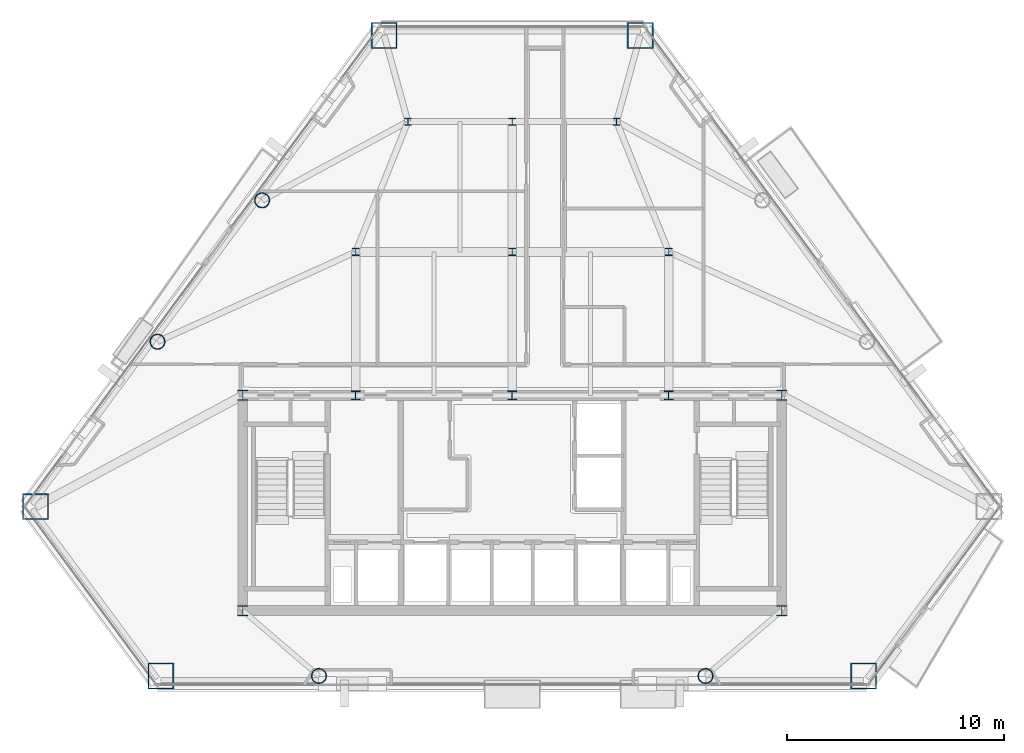
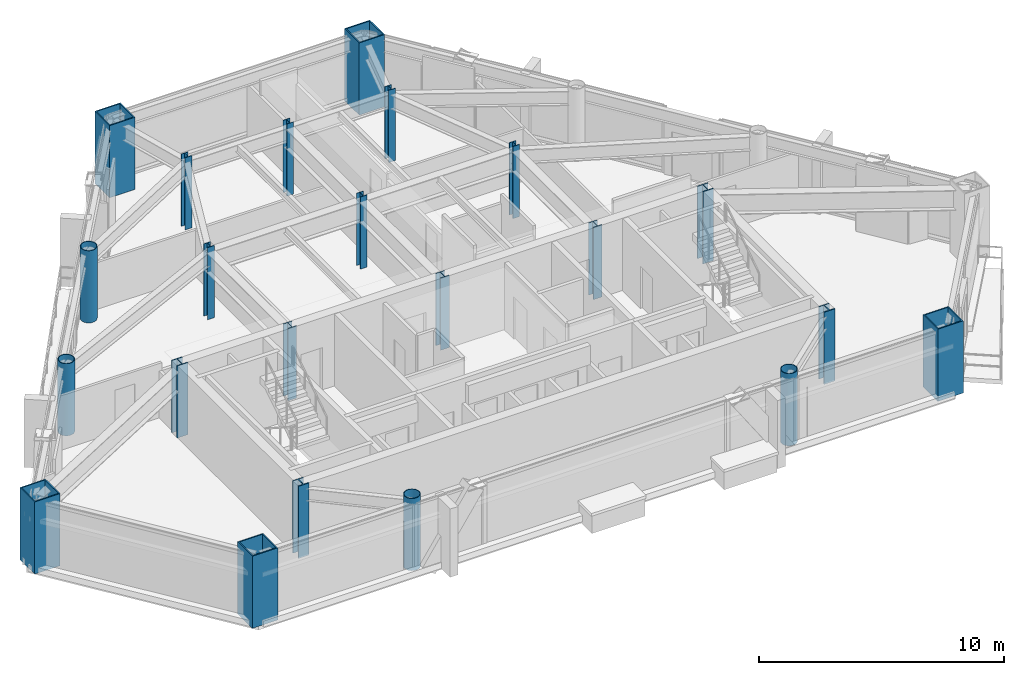
# One storey, part 1 of 11: 22 columns.
"""IFC4 building model written with IfcOpenShell, lengths in metres."""

from ifc_helpers import new_model, si_unit, direction, frame, origin, origin_2d, place, context, subcontext, project, spatial, hollow_rectangle, hollow_circle, i_section, extrude, material, material_profile, profile_set, type_object, element, save


model = new_model("IFC4")

# Units and contexts
model_context = context("Model", 3, precision=1e-05, world=origin(), true_north=direction((0.0, 1.0)))
body_context = subcontext(model_context, "Body", "Model", "MODEL_VIEW")
ifc_project = project(units=[si_unit("LENGTHUNIT", "METRE"), si_unit("AREAUNIT", "SQUARE_METRE"), si_unit("VOLUMEUNIT", "CUBIC_METRE"), si_unit("PLANEANGLEUNIT", "RADIAN"), si_unit("MASSUNIT", "GRAM", prefix="KILO")], contexts=[model_context])

# Site, building, storey
site_placement = place(None, origin())
site = spatial("IfcSite", under=ifc_project, at=site_placement, CompositionType="ELEMENT")
building_placement = place(site_placement, origin())
building = spatial("IfcBuilding", under=site, at=building_placement, Name="Talgorran Terracotta Tower", CompositionType="ELEMENT")
storey_placement = place(building_placement, frame((0.0, 0.0, 103.199951171875)))
storey = spatial("IfcBuildingStorey", under=building, at=storey_placement, Name="L26", CompositionType="ELEMENT", Elevation=103.199951171875)

# Columns
ifc_material_1 = material(Name="Steel S355 (300PLUS)", Category="steel")
ifc_material_profile_1 = material_profile(ifc_material_1, i_section(OverallWidth=0.311279296875, OverallDepth=0.3271484375, WebThickness=0.015625, FlangeThickness=0.02490234375, at=origin_2d()), Name="310UC158")
ifc_profile_set_1 = profile_set([ifc_material_profile_1], Name="Steel S355 (300PLUS)")
column_type_1 = type_object("IfcColumnType", Name="COL_310UC158", PredefinedType="COLUMN", material=ifc_profile_set_1)
for number, where, z_axis, x_axis, name in (
    (1, (-7.199951171875, 2.39990234375, 0.0), (0.0, 0.0, 1.0), (1.0, 0.0, 0.0), "L26 Interior Gravity Column IC1"),
    (2, (0.0, 2.39990234375, 0.0), (0.0, 0.0, 1.0), (1.0, 0.0, 0.0), "L26 Interior Gravity Column IC2"),
    (3, (7.199951171875, 2.39990234375, 0.0), (0.0, 0.0, 1.0), (1.0, 0.0, 0.0), "L26 Interior Gravity Column IC3"),
    (4, (-4.800048828125, 8.39990234375, 0.0), (0.0, 0.0, 1.0), (1.0, 0.0, 0.0), "L26 Interior Gravity Column IC4"),
    (5, (0.0, 8.39990234375, 0.0), (0.0, 0.0, 1.0), (1.0, 0.0, 0.0), "L26 Interior Gravity Column IC5"),
    (6, (4.800048828125, 8.39990234375, 0.0), (0.0, 0.0, 1.0), (1.0, 0.0, 0.0), "L26 Interior Gravity Column IC6"),
):
    element("IfcColumn", number, at=place(storey_placement, frame(where, z_axis=z_axis, x_axis=x_axis)), inside=storey, type_object=column_type_1, Name=name, PredefinedType="COLUMN", context=body_context, shape_type="SweptSolid", body=[
        extrude(i_section(OverallWidth=0.311279296875, OverallDepth=0.3271484375, WebThickness=0.015625, FlangeThickness=0.02490234375, at=origin_2d()), origin(), (0.0, 0.0, 1.0), 3.60009765625),
    ])
ifc_material_profile_2 = material_profile(ifc_material_1, i_section(OverallWidth=0.5, OverallDepth=0.48193359375, WebThickness=0.0400390625, FlangeThickness=0.044921875, at=origin_2d()), Name="500WC440")
ifc_profile_set_2 = profile_set([ifc_material_profile_2], Name="Steel S355 (300PLUS)")
column_type_2 = type_object("IfcColumnType", Name="COL_500WC440", PredefinedType="COLUMN", material=ifc_profile_set_2)
for number, where, z_axis, x_axis, name in (
    (7, (-12.39990234375, -14.10009765625, 0.0), (0.0, 0.0, 1.0), (1.0, 0.0, 0.0), "L26 Core Boundary Column CC1"),
    (8, (12.39990234375, -14.10009765625, 0.0), (0.0, 0.0, 1.0), (1.0, 0.0, 0.0), "L26 Core Boundary Column CC2"),
    (9, (12.39990234375, -4.199951171875, 0.0), (0.0, 0.0, 1.0), (1.0, 0.0, 0.0), "L26 Core Boundary Column CC3"),
    (10, (-12.39990234375, -4.199951171875, 0.0), (0.0, 0.0, 1.0), (1.0, 0.0, 0.0), "L26 Core Boundary Column CC4"),
):
    element("IfcColumn", number, at=place(storey_placement, frame(where, z_axis=z_axis, x_axis=x_axis)), inside=storey, type_object=column_type_2, Name=name, PredefinedType="COLUMN", context=body_context, shape_type="SweptSolid", body=[
        extrude(i_section(OverallWidth=0.5, OverallDepth=0.48193359375, WebThickness=0.0400390625, FlangeThickness=0.044921875, at=origin_2d()), origin(), (0.0, 0.0, 1.0), 3.60009765625),
    ])
ifc_material_2 = material(Name="Steel Grade 350 (350L0)", Category="steel")
ifc_material_profile_3 = material_profile(ifc_material_2, hollow_rectangle(XDim=1.199951171875, YDim=1.199951171875, WallThickness=0.054931640625, at=origin_2d()), Name="CFT1200X1200X55")
ifc_profile_set_3 = profile_set([ifc_material_profile_3], Name="Steel Grade 350 (350L0)")
column_type_3 = type_object("IfcColumnType", Name="COL_CFT_1200", PredefinedType="COLUMN", material=ifc_profile_set_3)
for number, where, z_axis, x_axis, name in (
    (11, (-21.934326171875, -9.315673828125, 0.0), (0.0, 0.0, 1.0), (1.0, 0.0, 0.0), "L26 Corner CFT Mega-Column MC1"),
    (12, (-16.1669921875, -17.10791015625, 0.0), (0.0, 0.0, 1.0), (1.0, 0.0, 0.0), "L26 Corner CFT Mega-Column MC2"),
    (13, (16.1669921875, -17.10791015625, 0.0), (0.0, 0.0, 1.0), (1.0, 0.0, 0.0), "L26 Corner CFT Mega-Column MC3"),
    (14, (5.889892578125, 12.3623046875, 0.0), (0.0, 0.0, 1.0), (1.0, 0.0, 0.0), "L26 Corner CFT Mega-Column MC5"),
    (15, (-5.889892578125, 12.3623046875, 0.0), (0.0, 0.0, 1.0), (1.0, 0.0, 0.0), "L26 Corner CFT Mega-Column MC6"),
):
    element("IfcColumn", number, at=place(storey_placement, frame(where, z_axis=z_axis, x_axis=x_axis)), inside=storey, type_object=column_type_3, Name=name, PredefinedType="COLUMN", context=body_context, shape_type="SweptSolid", body=[
        extrude(hollow_rectangle(XDim=1.199951171875, YDim=1.199951171875, WallThickness=0.054931640625, at=origin_2d()), origin(), (0.0, 0.0, 1.0), 3.60009765625),
    ])
ifc_material_profile_4 = material_profile(ifc_material_2, hollow_circle(Radius=0.35009765625, WallThickness=0.030029296875, at=origin_2d()), Name="CHS700X30")
ifc_profile_set_4 = profile_set([ifc_material_profile_4], Name="Steel Grade 350 (350L0)")
column_type_4 = type_object("IfcColumnType", Name="COL_CHS_700", PredefinedType="COLUMN", material=ifc_profile_set_4)
for number, where, z_axis, x_axis, name in (
    (16, (-8.891845703125, -17.10791015625, 0.0), (0.0, 0.0, 1.0), (1.0, 0.0, 0.0), "L26 Facet Perimeter Column FC1"),
    (17, (8.891845703125, -17.10791015625, 0.0), (0.0, 0.0, 1.0), (1.0, 0.0, 0.0), "L26 Facet Perimeter Column FC2"),
    (18, (-11.505615234375, 4.77490234375, 0.0), (0.0, 0.0, 1.0), (1.0, 0.0, 0.0), "L26 Facet Perimeter Column FC5"),
    (19, (-16.31884765625, -1.728515625, 0.0), (0.0, 0.0, 1.0), (1.0, 0.0, 0.0), "L26 Facet Perimeter Column FC6"),
):
    element("IfcColumn", number, at=place(storey_placement, frame(where, z_axis=z_axis, x_axis=x_axis)), inside=storey, type_object=column_type_4, Name=name, PredefinedType="COLUMN", context=body_context, shape_type="SweptSolid", body=[
        extrude(hollow_circle(Radius=0.35009765625, WallThickness=0.030029296875, at=origin_2d()), origin(), (0.0, 0.0, 1.0), 3.60009765625),
    ])
ifc_material_profile_5 = material_profile(ifc_material_1, i_section(OverallWidth=0.405029296875, OverallDepth=0.4140625, WebThickness=0.02197265625, FlangeThickness=0.031982421875, at=origin_2d()), Name="400WC270")
ifc_profile_set_5 = profile_set([ifc_material_profile_5], Name="Steel S355 (300PLUS)")
column_type_5 = type_object("IfcColumnType", Name="COL_PIL_400WC270", PredefinedType="PILASTER", material=ifc_profile_set_5)
for number, where, z_axis, x_axis, name in (
    (20, (-7.199951171875, -4.199951171875, 0.0), (0.0, 0.0, 1.0), (1.0, 0.0, 0.0), "L26 Core Shear Pilaster CP1"),
    (21, (0.0, -4.199951171875, 0.0), (0.0, 0.0, 1.0), (1.0, 0.0, 0.0), "L26 Core Shear Pilaster CP2"),
    (22, (7.199951171875, -4.199951171875, 0.0), (0.0, 0.0, 1.0), (1.0, 0.0, 0.0), "L26 Core Shear Pilaster CP3"),
):
    element("IfcColumn", number, at=place(storey_placement, frame(where, z_axis=z_axis, x_axis=x_axis)), inside=storey, type_object=column_type_5, Name=name, PredefinedType="PILASTER", context=body_context, shape_type="SweptSolid", body=[
        extrude(i_section(OverallWidth=0.405029296875, OverallDepth=0.4140625, WebThickness=0.02197265625, FlangeThickness=0.031982421875, at=origin_2d()), origin(), (0.0, 0.0, 1.0), 3.60009765625),
    ])

save(model, "model.ifc")
